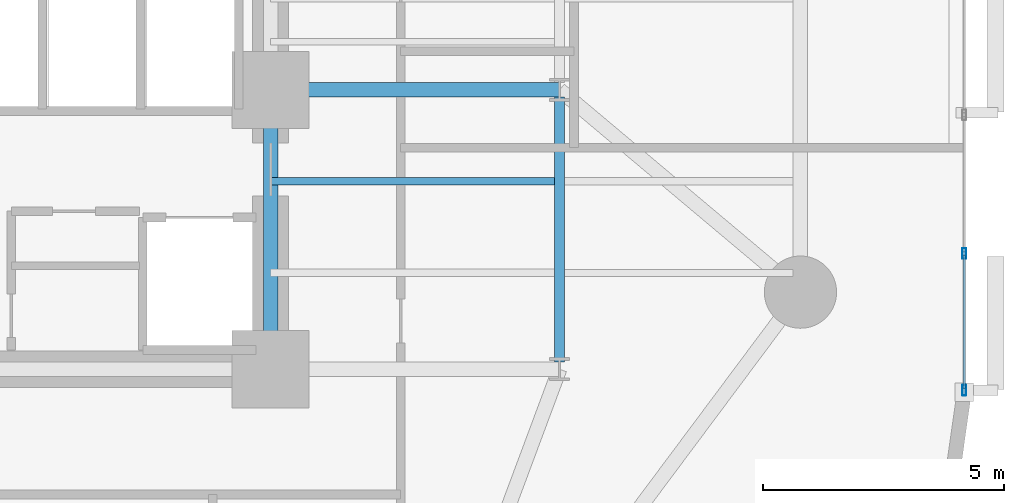
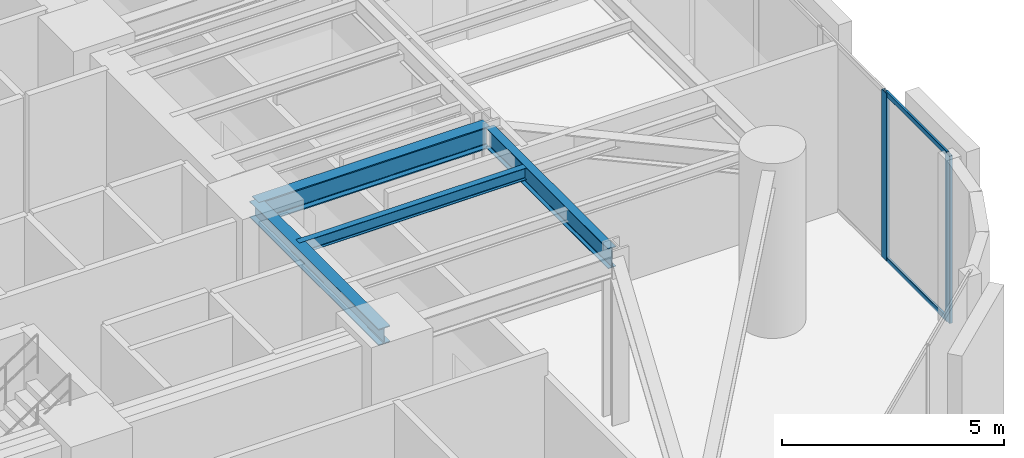
# One storey, part 3 of 13: 4 beams, 4 members, 1 element without a shape of its own.
"""IFC4 building model written with IfcOpenShell, lengths in metres."""

from ifc_helpers import new_model, si_unit, direction, frame, origin, origin_2d, place, context, subcontext, project, spatial, hollow_rectangle, i_section, extrude, material, layer, layer_set, material_profile, profile_set, type_object, element, aggregate, save


model = new_model("IFC4")

# Units and contexts
model_context = context("Model", 3, precision=1e-05, world=origin(), true_north=direction((0.0, 1.0)))
body_context = subcontext(model_context, "Body", "Model", "MODEL_VIEW")
ifc_project = project(units=[si_unit("LENGTHUNIT", "METRE"), si_unit("AREAUNIT", "SQUARE_METRE"), si_unit("VOLUMEUNIT", "CUBIC_METRE"), si_unit("PLANEANGLEUNIT", "RADIAN"), si_unit("MASSUNIT", "GRAM", prefix="KILO")], contexts=[model_context])

# Site, building, storey
site_placement = place(None, origin())
site = spatial("IfcSite", under=ifc_project, at=site_placement, CompositionType="ELEMENT")
building_placement = place(site_placement, origin())
building = spatial("IfcBuilding", under=site, at=building_placement, Name="An Khanh Terracotta Commons", CompositionType="ELEMENT")
storey_placement = place(building_placement, frame((0.0, 0.0, 24.0)))
storey = spatial("IfcBuildingStorey", under=building, at=storey_placement, Name="L06", CompositionType="ELEMENT", Elevation=24.0)

# Beams
ifc_material_1 = material(Name="Steel S355J2", Category="steel")
ifc_material_profile_1 = material_profile(ifc_material_1, i_section(OverallWidth=0.300048828125, OverallDepth=0.449951171875, WebThickness=0.013916015625, FlangeThickness=0.02587890625, FilletRadius=0.027099609375, at=origin_2d()), Name="HEB450")
ifc_profile_set_1 = profile_set([ifc_material_profile_1], Name="Steel S355J2")
beam_type_1 = type_object("IfcBeamType", Name="BM-HEB450", PredefinedType="BEAM", material=ifc_profile_set_1)
beam_1_placement = place(storey_placement, frame((37.199951171875, 14.39990234375, 4.375), z_axis=(0.0, 1.0, 0.0), x_axis=(-1.0, 0.0, 0.0)))
element("IfcBeam", 1, at=beam_1_placement, inside=storey, type_object=beam_type_1, Name="L06 Core East Coupling Girder 1", PredefinedType="BEAM", context=body_context, shape_type="SweptSolid", body=[
    extrude(i_section(OverallWidth=0.300048828125, OverallDepth=0.449951171875, WebThickness=0.013916015625, FlangeThickness=0.02587890625, FilletRadius=0.027099609375, at=origin_2d()), origin(), (0.0, 0.0, 1.0), 5.800048828125),
])
ifc_material_profile_2 = material_profile(ifc_material_1, i_section(OverallWidth=0.300048828125, OverallDepth=0.60009765625, WebThickness=0.015380859375, FlangeThickness=0.030029296875, FilletRadius=0.027099609375, at=origin_2d()), Name="HEB600")
ifc_profile_set_2 = profile_set([ifc_material_profile_2], Name="Steel S355J2")
beam_type_2 = type_object("IfcBeamType", Name="BM-HEB600", PredefinedType="BEAM", material=ifc_profile_set_2)
beam_2_placement = place(storey_placement, frame((37.199951171875, 20.199951171875, 4.300048828125), z_axis=(1.0, 0.0, 0.0), x_axis=(0.0, 1.0, 0.0)))
element("IfcBeam", 2, at=beam_2_placement, inside=storey, type_object=beam_type_2, Name="L06 East Primary Floor Girder 2", PredefinedType="BEAM", context=body_context, shape_type="SweptSolid", body=[
    extrude(i_section(OverallWidth=0.300048828125, OverallDepth=0.60009765625, WebThickness=0.015380859375, FlangeThickness=0.030029296875, FilletRadius=0.027099609375, at=origin_2d()), origin(), (0.0, 0.0, 1.0), 6.0),
])
ifc_material_profile_3 = material_profile(ifc_material_1, i_section(OverallWidth=0.159912109375, OverallDepth=0.330078125, WebThickness=0.007568359375, FlangeThickness=0.011474609375, FilletRadius=0.01806640625, at=origin_2d()), Name="IPE330")
ifc_profile_set_3 = profile_set([ifc_material_profile_3], Name="Steel S355J2")
beam_type_3 = type_object("IfcBeamType", Name="BM-IPE330", PredefinedType="JOIST", material=ifc_profile_set_3)
beam_3_placement = place(storey_placement, frame((37.199951171875, 18.300048828125, 4.43505859375), z_axis=(1.0, 0.0, 0.0), x_axis=(0.0, 1.0, 0.0)))
element("IfcBeam", 3, at=beam_3_placement, inside=storey, type_object=beam_type_3, Name="L06 Inboard Composite Joist 2", PredefinedType="JOIST", context=body_context, shape_type="SweptSolid", body=[
    extrude(i_section(OverallWidth=0.159912109375, OverallDepth=0.330078125, WebThickness=0.007568359375, FlangeThickness=0.011474609375, FilletRadius=0.01806640625, at=origin_2d()), origin(), (0.0, 0.0, 1.0), 5.89501953125),
])
ifc_material_profile_4 = material_profile(ifc_material_1, i_section(OverallWidth=0.2099609375, OverallDepth=0.550048828125, WebThickness=0.010986328125, FlangeThickness=0.01708984375, FilletRadius=0.02392578125, at=origin_2d()), Name="IPE550")
ifc_profile_set_4 = profile_set([ifc_material_profile_4], Name="Steel S355J2")
beam_type_4 = type_object("IfcBeamType", Name="BM-IPE550", PredefinedType="BEAM", material=ifc_profile_set_4)
beam_4_placement = place(storey_placement, frame((43.199951171875, 14.550048828125, 4.324951171875), z_axis=(0.0, 1.0, 0.0), x_axis=(-1.0, 0.0, 0.0)))
element("IfcBeam", 4, at=beam_4_placement, inside=storey, type_object=beam_type_4, Name="L06 East Spine Girder 1", PredefinedType="BEAM", context=body_context, shape_type="SweptSolid", body=[
    extrude(i_section(OverallWidth=0.2099609375, OverallDepth=0.550048828125, WebThickness=0.010986328125, FlangeThickness=0.01708984375, FilletRadius=0.02392578125, at=origin_2d()), origin(), (0.0, 0.0, 1.0), 5.5),
])

# Curtain wall, members
ifc_material_2 = material(Name="Anodised Aluminium 6063-T6", Category="aluminium")
ifc_layer = layer(ifc_material_2, 0.239990234375, Name="Anodised Aluminium 6063-T6")
ifc_layer_set = layer_set([ifc_layer], Name="Anodised Aluminium 6063-T6")
curtain_wall_type = type_object("IfcCurtainWallType", Name="CW-SYS-04", PredefinedType="USERDEFINED", material=ifc_layer_set)
curtain_wall_placement = place(storey_placement, origin())
curtain_wall = element("IfcCurtainWall", 5, at=curtain_wall_placement, inside=storey, type_object=curtain_wall_type, Name="L06 CW-04 Unitised Curtain Wall CW-L06-12", ObjectType="UNITISED CURTAIN WALL", PredefinedType="USERDEFINED")
ifc_material_profile_5 = material_profile(ifc_material_2, hollow_rectangle(XDim=0.080078125, YDim=0.219970703125, WallThickness=0.0048828125, InnerFilletRadius=0.0048828125, OuterFilletRadius=0.010009765625, at=origin_2d()), Name="RHS220x80x5")
ifc_profile_set_5 = profile_set([ifc_material_profile_5], Name="Anodised Aluminium 6063-T6")
member_type_1 = type_object("IfcMemberType", Name="CWM-RHS220x80x5", PredefinedType="MULLION", material=ifc_profile_set_5)
member_1_placement = place(storey_placement, frame((51.60009765625, 13.962890625, 0.0), z_axis=(0.0, 0.0, 1.0), x_axis=(-1.0, 0.0, 0.0)))
member_1 = element("IfcMember", 6, at=member_1_placement, type_object=member_type_1, Name="CW-04 mullion 1", PredefinedType="MULLION", context=body_context, shape_type="SweptSolid", body=[
    extrude(hollow_rectangle(XDim=0.080078125, YDim=0.219970703125, WallThickness=0.0048828125, InnerFilletRadius=0.0048828125, OuterFilletRadius=0.010009765625, at=origin_2d()), origin(), (0.0, 0.0, 1.0), 4.60009765625),
])
member_2_placement = place(storey_placement, frame((51.60009765625, 16.80224609375, 0.0), z_axis=(0.0, 0.0, 1.0), x_axis=(-1.0, 0.0, 0.0)))
member_2 = element("IfcMember", 7, at=member_2_placement, type_object=member_type_1, Name="CW-04 mullion 2", PredefinedType="MULLION", context=body_context, shape_type="SweptSolid", body=[
    extrude(hollow_rectangle(XDim=0.080078125, YDim=0.219970703125, WallThickness=0.0048828125, InnerFilletRadius=0.0048828125, OuterFilletRadius=0.010009765625, at=origin_2d()), origin(), (0.0, 0.0, 1.0), 4.60009765625),
])
ifc_material_profile_6 = material_profile(ifc_material_2, hollow_rectangle(XDim=0.06005859375, YDim=0.135009765625, WallThickness=0.003662109375, InnerFilletRadius=0.003662109375, OuterFilletRadius=0.007080078125, at=origin_2d()), Name="RHS135x60x3.6")
ifc_profile_set_6 = profile_set([ifc_material_profile_6], Name="Anodised Aluminium 6063-T6")
member_type_2 = type_object("IfcMemberType", Name="CWT-RHS135x60x3.6", PredefinedType="USERDEFINED", material=ifc_profile_set_6)
member_3_placement = place(storey_placement, frame((51.60009765625, 14.0029296875, 0.030029296875), z_axis=(0.0, 1.0, 0.0), x_axis=(-1.0, 0.0, 0.0)))
member_3 = element("IfcMember", 8, at=member_3_placement, type_object=member_type_2, Name="CW-04 transom 1.1", ObjectType="TRANSOM", PredefinedType="USERDEFINED", context=body_context, shape_type="SweptSolid", body=[
    extrude(hollow_rectangle(XDim=0.06005859375, YDim=0.135009765625, WallThickness=0.003662109375, InnerFilletRadius=0.003662109375, OuterFilletRadius=0.007080078125, at=origin_2d()), origin(), (0.0, 0.0, 1.0), 2.75927734375),
])
member_4_placement = place(storey_placement, frame((51.60009765625, 14.0029296875, 4.570068359375), z_axis=(0.0, 1.0, 0.0), x_axis=(-1.0, 0.0, 0.0)))
member_4 = element("IfcMember", 9, at=member_4_placement, type_object=member_type_2, Name="CW-04 transom 1.2", ObjectType="TRANSOM", PredefinedType="USERDEFINED", context=body_context, shape_type="SweptSolid", body=[
    extrude(hollow_rectangle(XDim=0.06005859375, YDim=0.135009765625, WallThickness=0.003662109375, InnerFilletRadius=0.003662109375, OuterFilletRadius=0.007080078125, at=origin_2d()), origin(), (0.0, 0.0, 1.0), 2.75927734375),
])
aggregate(curtain_wall, [member_1, member_2, member_3, member_4])

save(model, "model.ifc")
